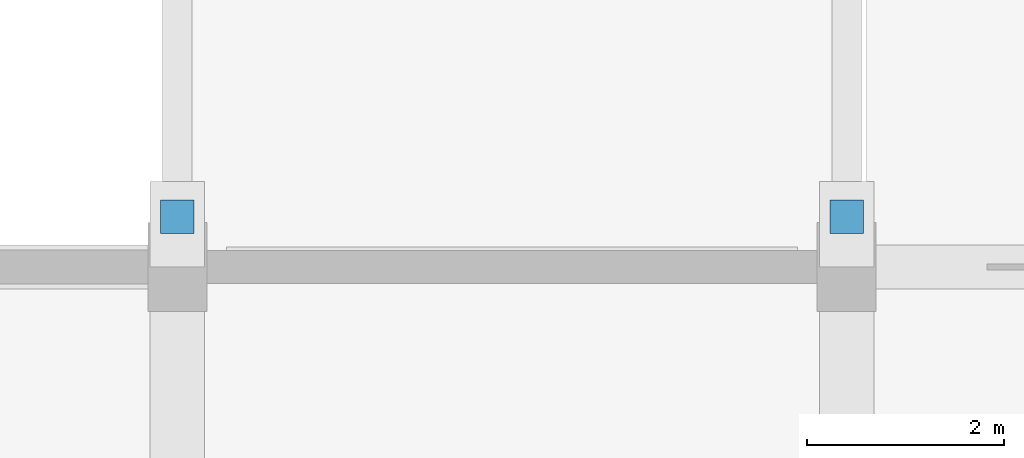
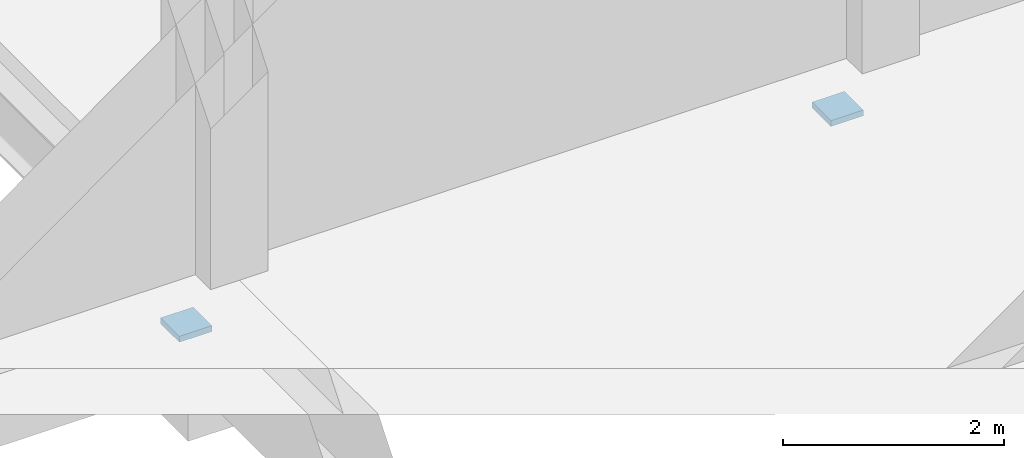
# One storey, part 76 of 97: 2 discrete accessories.
"""IFC4 building model written with IfcOpenShell, lengths in metres."""

from ifc_helpers import new_model, si_unit, direction, frame, origin, origin_2d, place, context, subcontext, project, spatial, rectangle, extrude, material, layer, layer_set, type_object, element, save


model = new_model("IFC4")

# Units and contexts
model_context = context("Model", 3, precision=1e-05, world=origin(), true_north=direction((0.0, 1.0)))
body_context = subcontext(model_context, "Body", "Model", "MODEL_VIEW")
ifc_project = project(units=[si_unit("LENGTHUNIT", "METRE"), si_unit("AREAUNIT", "SQUARE_METRE"), si_unit("VOLUMEUNIT", "CUBIC_METRE"), si_unit("PLANEANGLEUNIT", "RADIAN"), si_unit("MASSUNIT", "GRAM", prefix="KILO")], contexts=[model_context])

# Site, building, storey
site_placement = place(None, origin())
site = spatial("IfcSite", under=ifc_project, at=site_placement, CompositionType="ELEMENT")
building_placement = place(site_placement, origin())
building = spatial("IfcBuilding", under=site, at=building_placement, Name="Kisaragi Civic Commons", CompositionType="ELEMENT")
storey_placement = place(building_placement, origin())
storey = spatial("IfcBuildingStorey", under=building, at=storey_placement, Name="L00", CompositionType="ELEMENT", Elevation=0.0)

# Discrete accessories
ifc_material = material(Name="Steel SN490 (SN490B)", Category="steel")
ifc_layer = layer(ifc_material, 0.06494140625, Name="Steel SN490 (SN490B)", Category="steel")
ifc_layer_set = layer_set([ifc_layer], Name="Steel SN490 (SN490B)")
discrete_accessory_type = type_object("IfcDiscreteAccessoryType", Name="SB-01", PredefinedType="USERDEFINED", material=ifc_layer_set)
for number, where, z_axis, x_axis, name in (
    (1, (13.60009765625, 62.909912109375, -1.10498046875), (0.0, 0.0, 1.0), (1.0, 0.0, 0.0), "PTFE sliding bearing SB-01 7"),
    (2, (20.39990234375, 62.909912109375, -1.10498046875), (0.0, 0.0, 1.0), (1.0, 0.0, 0.0), "PTFE sliding bearing SB-01 8"),
):
    element("IfcDiscreteAccessory", number, at=place(storey_placement, frame(where, z_axis=z_axis, x_axis=x_axis)), inside=storey, type_object=discrete_accessory_type, Name=name, ObjectType="SLIDING BEARING", PredefinedType="USERDEFINED", context=body_context, shape_type="SweptSolid", body=[
        extrude(rectangle(XDim=0.340087890625, YDim=0.340087890625, at=origin_2d()), origin(), (0.0, 0.0, 1.0), 0.06494140625),
    ])

save(model, "model.ifc")
